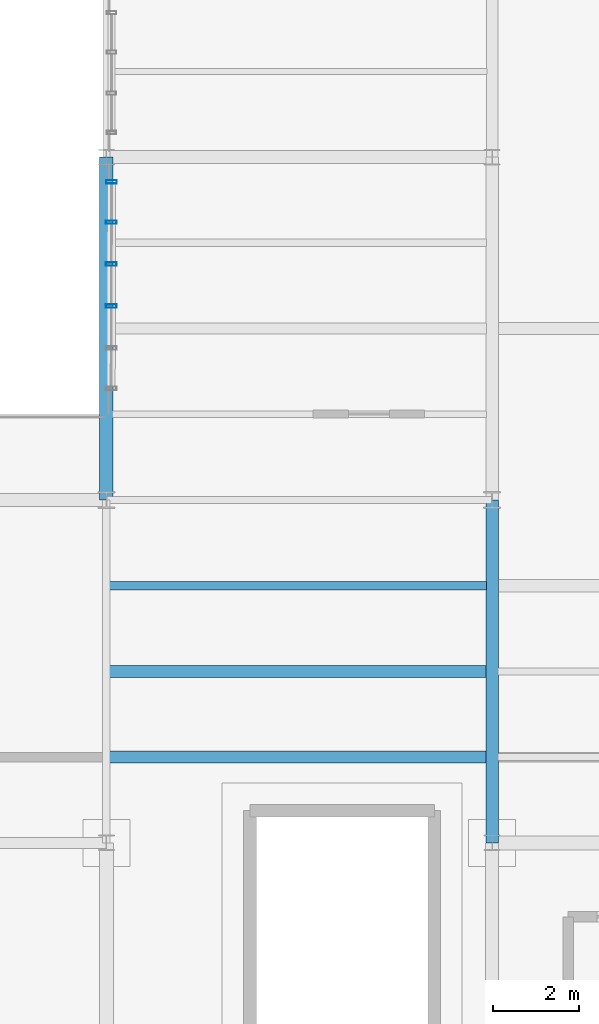
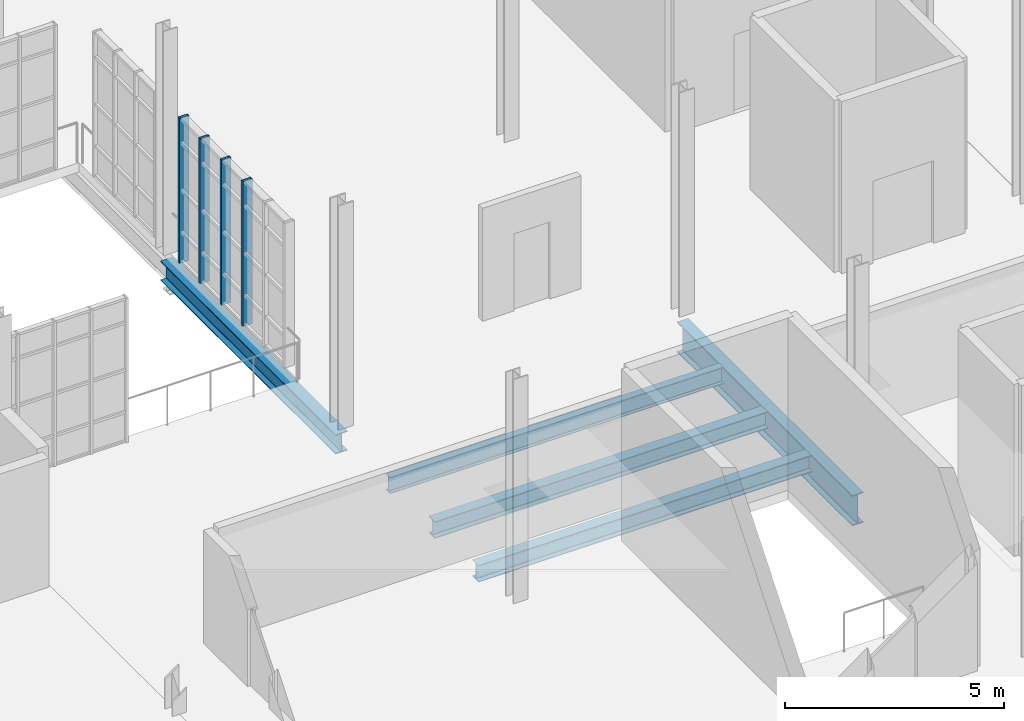
# One storey, part 36 of 118: 5 beams, 4 members, 1 element without a shape of its own.
"""IFC4 building model written with IfcOpenShell, lengths in metres."""

from ifc_helpers import new_model, si_unit, direction, frame, origin, origin_2d, place, context, subcontext, project, spatial, hollow_rectangle, i_section, extrude, material, layer, layer_set, material_profile, profile_set, type_object, element, aggregate, save


model = new_model("IFC4")

# Units and contexts
model_context = context("Model", 3, precision=1e-05, world=origin(), true_north=direction((0.0, 1.0)))
body_context = subcontext(model_context, "Body", "Model", "MODEL_VIEW")
ifc_project = project(units=[si_unit("LENGTHUNIT", "METRE"), si_unit("AREAUNIT", "SQUARE_METRE"), si_unit("VOLUMEUNIT", "CUBIC_METRE"), si_unit("PLANEANGLEUNIT", "RADIAN"), si_unit("MASSUNIT", "GRAM", prefix="KILO"), si_unit("THERMODYNAMICTEMPERATUREUNIT", "KELVIN"), si_unit("POWERUNIT", "WATT")], contexts=[model_context])

# Site, building, storey
site_placement = place(None, origin())
site = spatial("IfcSite", under=ifc_project, at=site_placement, CompositionType="ELEMENT")
building_placement = place(site_placement, origin())
building = spatial("IfcBuilding", under=site, at=building_placement, Name="Zelmaris Science Centre", CompositionType="ELEMENT")
storey_placement = place(building_placement, frame((0.0, 0.0, 15.60009765625)))
storey = spatial("IfcBuildingStorey", under=building, at=storey_placement, Name="L03", CompositionType="ELEMENT", Elevation=15.60009765625)

# Curtain wall, members
ifc_material_1 = material(Name="Anodised architectural aluminium 6063-T6", Category="aluminium")
ifc_layer = layer(ifc_material_1, 0.18994140625, Name="Anodised architectural aluminium 6063-T6")
ifc_layer_set = layer_set([ifc_layer], Name="Anodised architectural aluminium 6063-T6")
curtain_wall_type = type_object("IfcCurtainWallType", Name="Curtain Wall CW-01", PredefinedType="USERDEFINED", material=ifc_layer_set)
curtain_wall_placement = place(storey_placement, origin())
curtain_wall = element("IfcCurtainWall", 1, at=curtain_wall_placement, inside=storey, type_object=curtain_wall_type, Name="L03 Unitised curtain wall 325", ObjectType="GLAZED CURTAIN WALL", PredefinedType="USERDEFINED")
ifc_material_profile_1 = material_profile(ifc_material_1, hollow_rectangle(XDim=0.080078125, YDim=0.25, WallThickness=0.0048828125, at=origin_2d()), Name="ALU-MUL-80X250")
ifc_profile_set_1 = profile_set([ifc_material_profile_1], Name="Anodised architectural aluminium 6063-T6")
member_type = type_object("IfcMemberType", Name="ALU-MUL-80X250", PredefinedType="MULLION", material=ifc_profile_set_1)
member_1_placement = place(storey_placement, frame((117.1123046875, 36.52392578125, -0.01513671875), z_axis=(0.0, 0.0, 1.0), x_axis=(0.001019272107, 0.999999480542, 0.0)))
member_1 = element("IfcMember", 2, at=member_1_placement, type_object=member_type, Name="CW-01 mullion 3", PredefinedType="MULLION", context=body_context, shape_type="SweptSolid", body=[
    extrude(hollow_rectangle(XDim=0.080078125, YDim=0.25, WallThickness=0.0048828125, at=origin_2d()), origin(), (0.0, 0.0, 1.0), 4.044921875),
])
member_2_placement = place(storey_placement, frame((117.11328125, 37.502685546875, -0.01513671875), z_axis=(0.0, 0.0, 1.0), x_axis=(0.001019272107, 0.999999480542, 0.0)))
member_2 = element("IfcMember", 3, at=member_2_placement, type_object=member_type, Name="CW-01 mullion 4", PredefinedType="MULLION", context=body_context, shape_type="SweptSolid", body=[
    extrude(hollow_rectangle(XDim=0.080078125, YDim=0.25, WallThickness=0.0048828125, at=origin_2d()), origin(), (0.0, 0.0, 1.0), 4.044921875),
])
member_3_placement = place(storey_placement, frame((117.114501953125, 38.481201171875, -0.01513671875), z_axis=(0.0, 0.0, 1.0), x_axis=(0.001019272107, 0.999999480542, 0.0)))
member_3 = element("IfcMember", 4, at=member_3_placement, type_object=member_type, Name="CW-01 mullion 5", PredefinedType="MULLION", context=body_context, shape_type="SweptSolid", body=[
    extrude(hollow_rectangle(XDim=0.080078125, YDim=0.25, WallThickness=0.0048828125, at=origin_2d()), origin(), (0.0, 0.0, 1.0), 4.044921875),
])
member_4_placement = place(storey_placement, frame((117.115478515625, 39.423828125, -0.01513671875), z_axis=(0.0, 0.0, 1.0), x_axis=(0.001019272107, 0.999999480542, 0.0)))
member_4 = element("IfcMember", 5, at=member_4_placement, type_object=member_type, Name="CW-01 mullion 6", PredefinedType="MULLION", context=body_context, shape_type="SweptSolid", body=[
    extrude(hollow_rectangle(XDim=0.080078125, YDim=0.25, WallThickness=0.0048828125, at=origin_2d()), origin(), (0.0, 0.0, 1.0), 4.044921875),
])
aggregate(curtain_wall, [member_1, member_2, member_3, member_4])

# Beams
ifc_material_2 = material(Name="Steel ASTM A992 Grade 50", Category="steel")
ifc_material_profile_2 = material_profile(ifc_material_2, i_section(OverallWidth=0.294921875, OverallDepth=0.85107421875, WebThickness=0.01611328125, FlangeThickness=0.02685546875, FilletRadius=0.02001953125, at=origin_2d()), Name="W33X152")
ifc_profile_set_2 = profile_set([ifc_material_profile_2], Name="Steel ASTM A992 Grade 50")
beam_type_1 = type_object("IfcBeamType", Name="Beam G-06 W33X152", PredefinedType="BEAM", material=ifc_profile_set_2)
beam_1_placement = place(storey_placement, frame((126.0, 24.0, -0.685546875), z_axis=(0.0, 1.0, 0.0), x_axis=(-1.0, 0.0, 0.0)))
element("IfcBeam", 6, at=beam_1_placement, inside=storey, type_object=beam_type_1, Name="L03 North-south girder 715", PredefinedType="BEAM", context=body_context, shape_type="SweptSolid", body=[
    extrude(i_section(OverallWidth=0.294921875, OverallDepth=0.85107421875, WebThickness=0.01611328125, FlangeThickness=0.02685546875, FilletRadius=0.02001953125, at=origin_2d()), origin(), (0.0, 0.0, 1.0), 8.0),
])
ifc_material_profile_3 = material_profile(ifc_material_2, i_section(OverallWidth=0.31201171875, OverallDepth=0.5458984375, WebThickness=0.013916015625, FlangeThickness=0.022216796875, FilletRadius=0.013916015625, at=origin_2d()), Name="W21X111")
ifc_profile_set_3 = profile_set([ifc_material_profile_3], Name="Steel ASTM A992 Grade 50")
beam_type_2 = type_object("IfcBeamType", Name="Beam G-39 W21X111", PredefinedType="BEAM", material=ifc_profile_set_3)
beam_2_placement = place(storey_placement, frame((117.0, 32.0, -0.533203125), z_axis=(0.0, 1.0, 0.0), x_axis=(-1.0, 0.0, 0.0)))
element("IfcBeam", 7, at=beam_2_placement, inside=storey, type_object=beam_type_2, Name="L03 North-south girder 710", PredefinedType="BEAM", context=body_context, shape_type="SweptSolid", body=[
    extrude(i_section(OverallWidth=0.31201171875, OverallDepth=0.5458984375, WebThickness=0.013916015625, FlangeThickness=0.022216796875, FilletRadius=0.013916015625, at=origin_2d()), origin(), (0.0, 0.0, 1.0), 8.0),
])
ifc_material_profile_4 = material_profile(ifc_material_2, i_section(OverallWidth=0.281982421875, OverallDepth=0.471923828125, WebThickness=0.013671875, FlangeThickness=0.022216796875, FilletRadius=0.012939453125, at=origin_2d()), Name="W18X97")
ifc_profile_set_4 = profile_set([ifc_material_profile_4], Name="Steel ASTM A992 Grade 50")
beam_type_3 = type_object("IfcBeamType", Name="Beam J-02 W18X97", PredefinedType="JOIST", material=ifc_profile_set_4)
beam_3_placement = place(storey_placement, frame((117.073974609375, 26.0, -0.49609375), z_axis=(1.0, 0.0, 0.0), x_axis=(0.0, 1.0, 0.0)))
element("IfcBeam", 8, at=beam_3_placement, inside=storey, type_object=beam_type_3, Name="L03 Composite floor joist 352", PredefinedType="JOIST", context=body_context, shape_type="SweptSolid", body=[
    extrude(i_section(OverallWidth=0.281982421875, OverallDepth=0.471923828125, WebThickness=0.013671875, FlangeThickness=0.022216796875, FilletRadius=0.012939453125, at=origin_2d()), origin(), (0.0, 0.0, 1.0), 8.79345703125),
])
ifc_material_profile_5 = material_profile(ifc_material_2, i_section(OverallWidth=0.279052734375, OverallDepth=0.4619140625, WebThickness=0.0107421875, FlangeThickness=0.017333984375, FilletRadius=0.012939453125, at=origin_2d()), Name="W18X76")
ifc_profile_set_5 = profile_set([ifc_material_profile_5], Name="Steel ASTM A992 Grade 50")
beam_type_4 = type_object("IfcBeamType", Name="Beam J-03 W18X76", PredefinedType="JOIST", material=ifc_profile_set_5)
beam_4_placement = place(storey_placement, frame((117.073974609375, 28.0, -0.4912109375), z_axis=(1.0, 0.0, 0.0), x_axis=(0.0, 1.0, 0.0)))
element("IfcBeam", 9, at=beam_4_placement, inside=storey, type_object=beam_type_4, Name="L03 Composite floor joist 353", PredefinedType="JOIST", context=body_context, shape_type="SweptSolid", body=[
    extrude(i_section(OverallWidth=0.279052734375, OverallDepth=0.4619140625, WebThickness=0.0107421875, FlangeThickness=0.017333984375, FilletRadius=0.012939453125, at=origin_2d()), origin(), (0.0, 0.0, 1.0), 8.79345703125),
])
ifc_material_profile_6 = material_profile(ifc_material_2, i_section(OverallWidth=0.19091796875, OverallDepth=0.4599609375, WebThickness=0.010009765625, FlangeThickness=0.01611328125, FilletRadius=0.012939453125, at=origin_2d()), Name="W18X55")
ifc_profile_set_6 = profile_set([ifc_material_profile_6], Name="Steel ASTM A992 Grade 50")
beam_type_5 = type_object("IfcBeamType", Name="Beam J-04 W18X55", PredefinedType="JOIST", material=ifc_profile_set_6)
beam_5_placement = place(storey_placement, frame((117.073974609375, 30.0, -0.489990234375), z_axis=(1.0, 0.0, 0.0), x_axis=(0.0, 1.0, 0.0)))
element("IfcBeam", 10, at=beam_5_placement, inside=storey, type_object=beam_type_5, Name="L03 Composite floor joist 354", PredefinedType="JOIST", context=body_context, shape_type="SweptSolid", body=[
    extrude(i_section(OverallWidth=0.19091796875, OverallDepth=0.4599609375, WebThickness=0.010009765625, FlangeThickness=0.01611328125, FilletRadius=0.012939453125, at=origin_2d()), origin(), (0.0, 0.0, 1.0), 8.79345703125),
])

save(model, "model.ifc")
